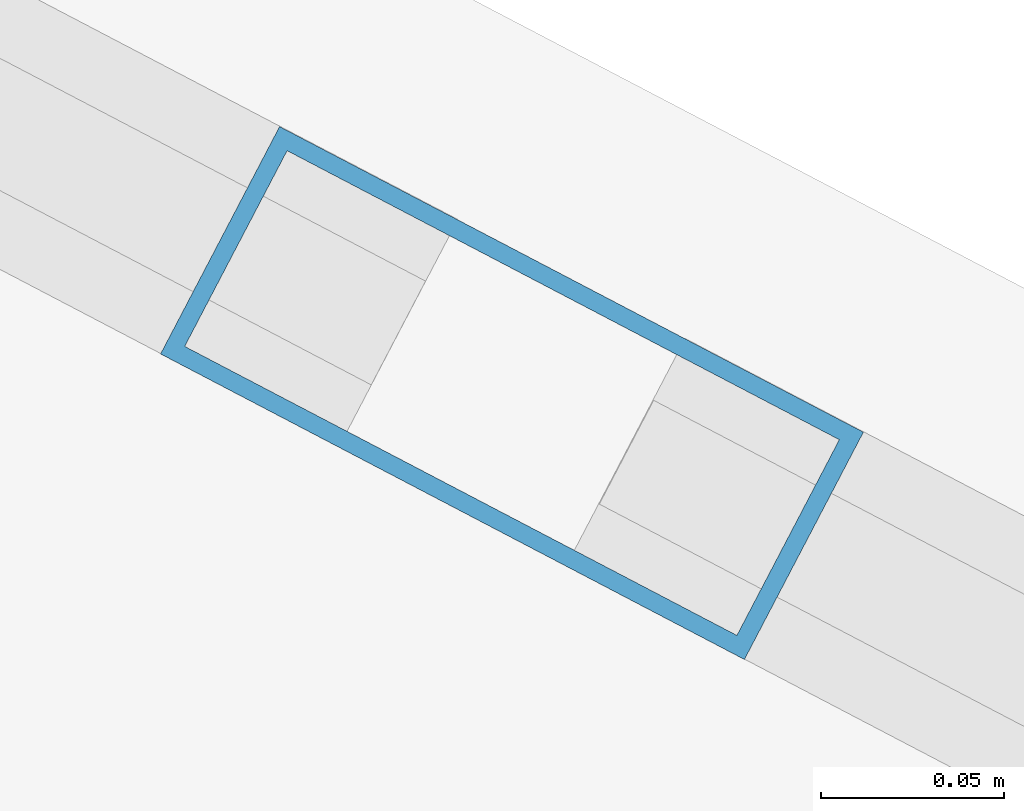
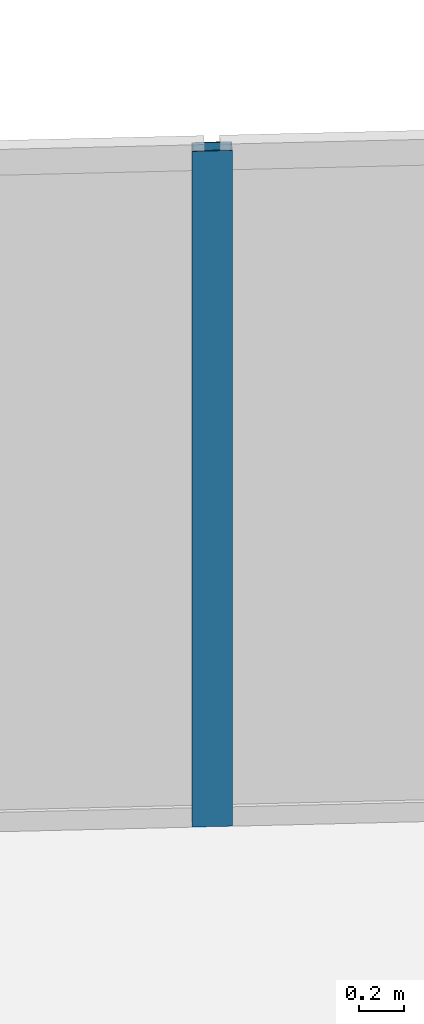
# One storey, part 21 of 27: 1 member, 1 element without a shape of its own.
"""IFC4 building model written with IfcOpenShell, lengths in metres."""

from ifc_helpers import new_model, si_unit, direction, frame, origin, origin_2d, place, context, subcontext, project, spatial, hollow_rectangle, extrude, source, transform, mapped, material, material_profile, profile_set, type_object, type_shapes, element, aggregate, save


model = new_model("IFC4")

# Units and contexts
model_context = context("Model", 3, precision=1e-05, world=origin(), true_north=direction((0.0, 1.0)))
body_context = subcontext(model_context, "Body", "Model", "MODEL_VIEW")
ifc_project = project(units=[si_unit("LENGTHUNIT", "METRE"), si_unit("AREAUNIT", "SQUARE_METRE"), si_unit("VOLUMEUNIT", "CUBIC_METRE"), si_unit("PLANEANGLEUNIT", "RADIAN"), si_unit("MASSUNIT", "GRAM", prefix="KILO")], contexts=[model_context])

# Site, building, storey
site_placement = place(None, origin())
site = spatial("IfcSite", under=ifc_project, at=site_placement, CompositionType="ELEMENT")
building_placement = place(site_placement, origin())
building = spatial("IfcBuilding", under=site, at=building_placement, Name="Krantzveldt Concourse Tower", CompositionType="ELEMENT")
storey_placement = place(building_placement, frame((0.0, 0.0, 154.10009765625)))
storey = spatial("IfcBuildingStorey", under=building, at=storey_placement, Name="L37", CompositionType="ELEMENT", Elevation=154.10009765625)

# Curtain wall, member
ifc_material = material(Name="Anodised aluminium 6063-T6", Category="aluminium")
curtain_wall_type = type_object("IfcCurtainWallType", Name="CW3", PredefinedType="USERDEFINED", material=ifc_material)
curtain_wall_placement = place(storey_placement, origin())
curtain_wall = element("IfcCurtainWall", 1, at=curtain_wall_placement, inside=storey, type_object=curtain_wall_type, Name="CW-L37-F10", ObjectType="UNITISED CURTAIN WALL", PredefinedType="USERDEFINED")
ifc_material_profile = material_profile(ifc_material, hollow_rectangle(XDim=0.070068359375, YDim=0.179931640625, WallThickness=0.0048828125, at=origin_2d()), Name="Anodised aluminium 6063-T6", Category="aluminium")
ifc_profile_set = profile_set([ifc_material_profile], Name="Anodised aluminium 6063-T6 - ALU-MULL 180x70x5")
member_type = type_object("IfcMemberType", Name="CW-MUL-180", PredefinedType="MULLION", material=ifc_profile_set)
shared_shape = source(origin(), body_context, "Body", "SweptSolid", [
    extrude(hollow_rectangle(XDim=0.070068359375, YDim=0.179931640625, WallThickness=0.0048828125, at=origin_2d()), origin(), (0.0, 0.0, 1.0), 3.669921875),
])
type_shapes(member_type, [shared_shape])
member_placement = place(storey_placement, frame((43.029541015625, 47.63720703125, 0.0), z_axis=(0.0, 0.0, 1.0), x_axis=(-0.463682819502, -0.886001265743, 0.0)))
member = element("IfcMember", 2, at=member_placement, type_object=member_type, Name="CW-Z34 mullion 4", PredefinedType="MULLION", context=body_context, shape_type="MappedRepresentation", body=[
    mapped(shared_shape, transform((0.0, 0.0, 0.0), x_axis=(1.0, 0.0, 0.0), y_axis=(0.0, 1.0, 0.0), z_axis=(0.0, 0.0, 1.0), scale=1.0)),
])
aggregate(curtain_wall, [member])

save(model, "model.ifc")
